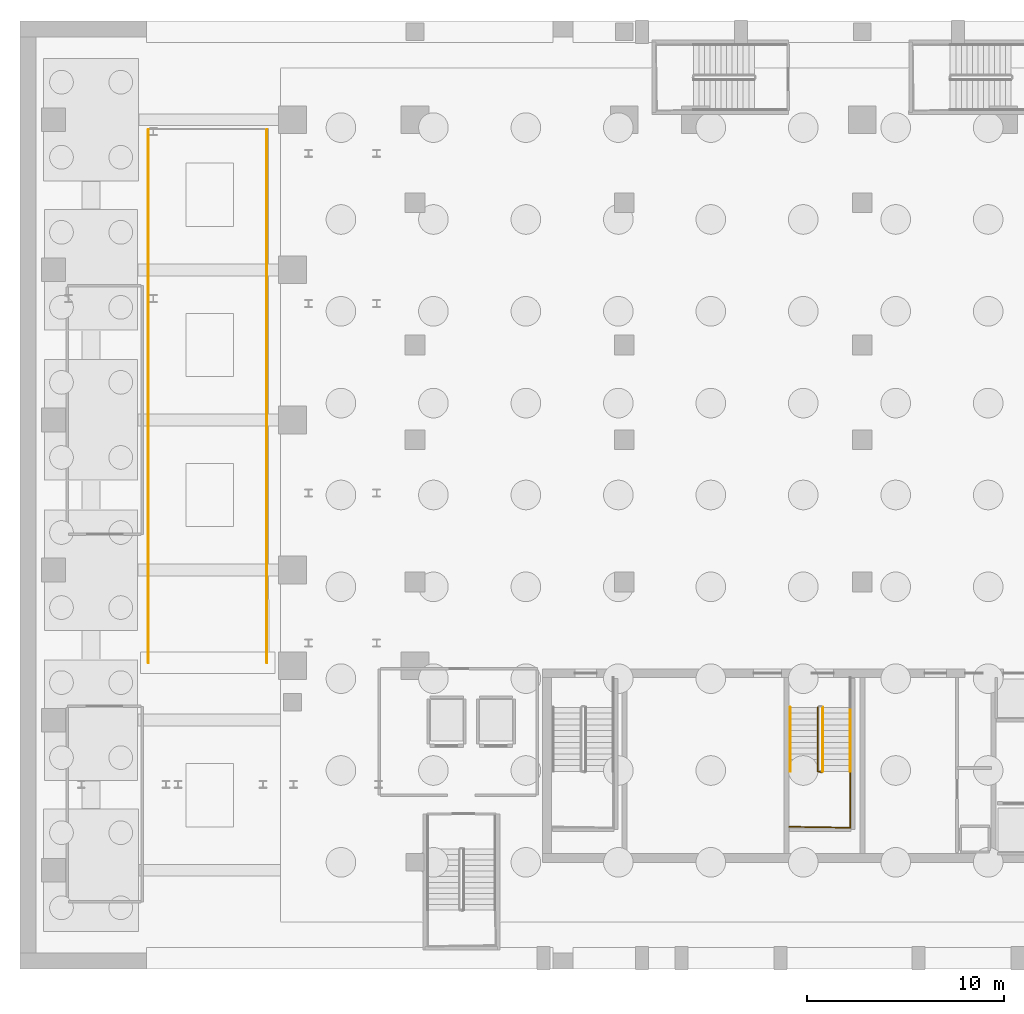
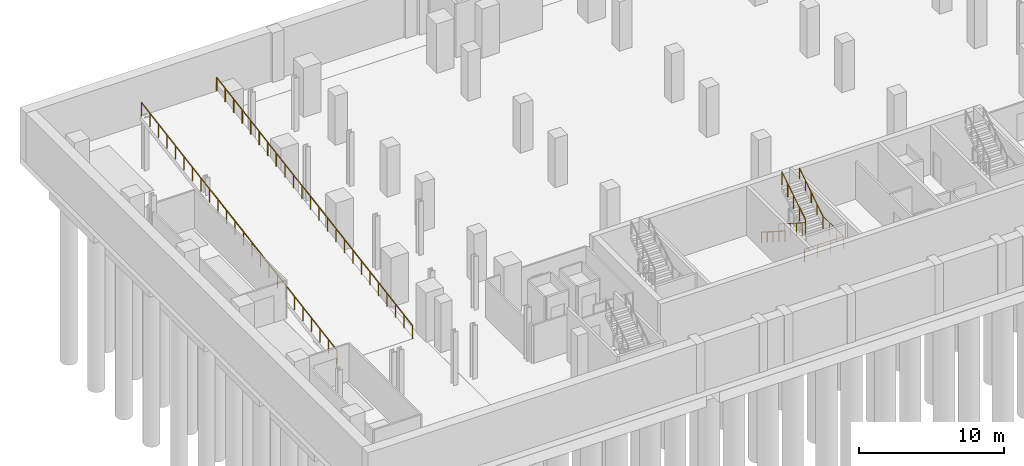
# One storey, part 15 of 18: 7 railings.
"""IFC4 building model written with IfcOpenShell, lengths in metres."""

from ifc_helpers import new_model, si_unit, direction, frame, origin, origin_2d, place, context, subcontext, project, spatial, circle, extrude, material, layer, layer_set, type_object, element, save


model = new_model("IFC4")

# Units and contexts
model_context = context("Model", 3, precision=1e-05, world=origin(), true_north=direction((0.0, 1.0)))
body_context = subcontext(model_context, "Body", "Model", "MODEL_VIEW")
ifc_project = project(units=[si_unit("LENGTHUNIT", "METRE"), si_unit("AREAUNIT", "SQUARE_METRE"), si_unit("VOLUMEUNIT", "CUBIC_METRE"), si_unit("PLANEANGLEUNIT", "RADIAN"), si_unit("MASSUNIT", "GRAM", prefix="KILO")], contexts=[model_context])

# Site, building, storey
site_placement = place(None, origin())
site = spatial("IfcSite", under=ifc_project, at=site_placement, CompositionType="ELEMENT")
building_placement = place(site_placement, origin())
building = spatial("IfcBuilding", under=site, at=building_placement, Name="Ndaravel Arena Tower", CompositionType="ELEMENT")
storey_placement = place(building_placement, frame((0.0, 0.0, -9.0)))
storey = spatial("IfcBuildingStorey", under=building, at=storey_placement, Name="B02", CompositionType="ELEMENT", Elevation=-9.0)

# Railings
ifc_material_1 = material(Name="Steel S355", Category="steel")
ifc_layer_1 = layer(ifc_material_1, 0.06005859375)
ifc_layer_set_1 = layer_set([ifc_layer_1], Name="Steel S355")
railing_type_1 = type_object("IfcRailingType", Name="RAIL-STAIR-GD1100", PredefinedType="GUARDRAIL", material=ifc_layer_set_1)
railing_1_placement = place(storey_placement, frame((40.39990234375, 13.25, 0.1875)))
element("IfcRailing", 1, at=railing_1_placement, inside=storey, type_object=railing_type_1, Name="B02 ST-2 stair guard 1", PredefinedType="GUARDRAIL", context=body_context, shape_type="SweptSolid", body=[
    extrude(circle(Radius=0.02392578125, at=origin_2d()), frame((0.0, 0.0, 1.076171875), z_axis=(0.0, -0.843964631203, 0.536398826693), x_axis=(1.0, 0.0, 0.0)), (0.0, 0.0, 1.0), 3.844970703125),
    extrude(circle(Radius=0.02392578125, at=origin_2d()), frame((0.0, -3.2451171875, 3.138671875), z_axis=(0.967379469692, -0.253331722487, 0.0), x_axis=(0.253331722487, 0.967379469692, 0.0)), (0.0, 0.0, 1.0), 0.196533203125),
    extrude(circle(Radius=0.02099609375, at=origin_2d()), origin(), (0.0, 0.0, 1.0), 1.052001953125),
    extrude(circle(Radius=0.02099609375, at=origin_2d()), frame((0.0, -0.811279296875, 0.515625)), (0.0, 0.0, 1.0), 1.052001953125),
    extrude(circle(Radius=0.02099609375, at=origin_2d()), frame((0.0, -1.62255859375, 1.03125)), (0.0, 0.0, 1.0), 1.052001953125),
    extrude(circle(Radius=0.02099609375, at=origin_2d()), frame((0.0, -2.433837890625, 1.546875)), (0.0, 0.0, 1.0), 1.052001953125),
    extrude(circle(Radius=0.02099609375, at=origin_2d()), frame((0.0, -3.2451171875, 2.0625)), (0.0, 0.0, 1.0), 1.052001953125),
    extrude(circle(Radius=0.02099609375, at=origin_2d()), frame((0.190185546875, -3.294921875, 2.0625)), (0.0, 0.0, 1.0), 1.052001953125),
])
railing_2_placement = place(storey_placement, frame((42.0400390625, 10.0048828125, 2.25)))
element("IfcRailing", 2, at=railing_2_placement, inside=storey, type_object=railing_type_1, Name="B02 ST-2 stair guard 2", PredefinedType="GUARDRAIL", context=body_context, shape_type="SweptSolid", body=[
    extrude(circle(Radius=0.02392578125, at=origin_2d()), frame((0.0, 0.0, 1.076171875), z_axis=(0.0, -1.0, 0.0), x_axis=(1.0, 0.0, 0.0)), (0.0, 0.0, 1.0), 2.85498046875),
    extrude(circle(Radius=0.02392578125, at=origin_2d()), frame((0.0, -2.85498046875, 1.076171875), z_axis=(-0.999868861343, 0.016194447071, 0.0), x_axis=(-0.016194447071, -0.999868861343, 0.0)), (0.0, 0.0, 1.0), 3.090576171875),
    extrude(circle(Radius=0.02099609375, at=origin_2d()), origin(), (0.0, 0.0, 1.0), 1.052001953125),
    extrude(circle(Radius=0.02099609375, at=origin_2d()), frame((0.0, -0.95166015625, 0.0)), (0.0, 0.0, 1.0), 1.052001953125),
    extrude(circle(Radius=0.02099609375, at=origin_2d()), frame((0.0, -1.9033203125, 0.0)), (0.0, 0.0, 1.0), 1.052001953125),
    extrude(circle(Radius=0.02099609375, at=origin_2d()), frame((0.0, -2.85498046875, 0.0)), (0.0, 0.0, 1.0), 1.052001953125),
    extrude(circle(Radius=0.02099609375, at=origin_2d()), frame((-1.030029296875, -2.83837890625, 0.0)), (0.0, 0.0, 1.0), 1.052001953125),
    extrude(circle(Radius=0.02099609375, at=origin_2d()), frame((-2.06005859375, -2.821533203125, 0.0)), (0.0, 0.0, 1.0), 1.052001953125),
    extrude(circle(Radius=0.02099609375, at=origin_2d()), frame((-3.090087890625, -2.804931640625, 0.0)), (0.0, 0.0, 1.0), 1.052001953125),
])
railing_3_placement = place(storey_placement, frame((40.639892578125, 10.0048828125, 2.4375)))
element("IfcRailing", 3, at=railing_3_placement, inside=storey, type_object=railing_type_1, Name="B02 ST-2 stair guard 3", PredefinedType="GUARDRAIL", context=body_context, shape_type="SweptSolid", body=[
    extrude(circle(Radius=0.02392578125, at=origin_2d()), frame((0.0, 0.0, 1.076171875), z_axis=(0.0, 0.843964631203, 0.536398826693), x_axis=(-1.0, 0.0, 0.0)), (0.0, 0.0, 1.0), 3.844970703125),
    extrude(circle(Radius=0.02099609375, at=origin_2d()), origin(), (0.0, 0.0, 1.0), 1.052001953125),
    extrude(circle(Radius=0.02099609375, at=origin_2d()), frame((0.0, 0.811279296875, 0.515625)), (0.0, 0.0, 1.0), 1.052001953125),
    extrude(circle(Radius=0.02099609375, at=origin_2d()), frame((0.0, 1.62255859375, 1.03125)), (0.0, 0.0, 1.0), 1.052001953125),
    extrude(circle(Radius=0.02099609375, at=origin_2d()), frame((0.0, 2.433837890625, 1.546875)), (0.0, 0.0, 1.0), 1.052001953125),
    extrude(circle(Radius=0.02099609375, at=origin_2d()), frame((0.0, 3.2451171875, 2.0625)), (0.0, 0.0, 1.0), 1.052001953125),
])
ifc_material_2 = material(Name="Steel S355", Category="steel")
ifc_layer_2 = layer(ifc_material_2, 0.050048828125)
ifc_layer_set_2 = layer_set([ifc_layer_2], Name="Steel S355")
railing_type_2 = type_object("IfcRailingType", Name="RAIL-STAIR-HR920", PredefinedType="HANDRAIL", material=ifc_layer_set_2)
railing_4_placement = place(storey_placement, frame((39.0, 13.25, 0.1875)))
element("IfcRailing", 4, at=railing_4_placement, inside=storey, type_object=railing_type_2, Name="B02 ST-2 stair handrail 1", PredefinedType="HANDRAIL", context=body_context, shape_type="SweptSolid", body=[
    extrude(circle(Radius=0.02392578125, at=origin_2d()), frame((0.0, 0.0, 0.8759765625), z_axis=(0.0, -0.843964631203, 0.536398826693), x_axis=(1.0, 0.0, 0.0)), (0.0, 0.0, 1.0), 3.844970703125),
    extrude(circle(Radius=0.02099609375, at=origin_2d()), origin(), (0.0, 0.0, 1.0), 0.851806640625),
    extrude(circle(Radius=0.02099609375, at=origin_2d()), frame((0.0, -0.811279296875, 0.515625)), (0.0, 0.0, 1.0), 0.851806640625),
    extrude(circle(Radius=0.02099609375, at=origin_2d()), frame((0.0, -1.62255859375, 1.03125)), (0.0, 0.0, 1.0), 0.851806640625),
    extrude(circle(Radius=0.02099609375, at=origin_2d()), frame((0.0, -2.433837890625, 1.546875)), (0.0, 0.0, 1.0), 0.851806640625),
    extrude(circle(Radius=0.02099609375, at=origin_2d()), frame((0.0, -3.2451171875, 2.0625)), (0.0, 0.0, 1.0), 0.851806640625),
])
railing_5_placement = place(storey_placement, frame((42.0400390625, 10.0048828125, 2.4375)))
element("IfcRailing", 5, at=railing_5_placement, inside=storey, type_object=railing_type_2, Name="B02 ST-2 stair handrail 2", PredefinedType="HANDRAIL", context=body_context, shape_type="SweptSolid", body=[
    extrude(circle(Radius=0.02392578125, at=origin_2d()), frame((0.0, 0.0, 0.8759765625), z_axis=(0.0, 0.843964631203, 0.536398826693), x_axis=(-1.0, 0.0, 0.0)), (0.0, 0.0, 1.0), 3.844970703125),
    extrude(circle(Radius=0.02099609375, at=origin_2d()), origin(), (0.0, 0.0, 1.0), 0.851806640625),
    extrude(circle(Radius=0.02099609375, at=origin_2d()), frame((0.0, 0.811279296875, 0.515625)), (0.0, 0.0, 1.0), 0.851806640625),
    extrude(circle(Radius=0.02099609375, at=origin_2d()), frame((0.0, 1.62255859375, 1.03125)), (0.0, 0.0, 1.0), 0.851806640625),
    extrude(circle(Radius=0.02099609375, at=origin_2d()), frame((0.0, 2.433837890625, 1.546875)), (0.0, 0.0, 1.0), 0.851806640625),
    extrude(circle(Radius=0.02099609375, at=origin_2d()), frame((0.0, 3.2451171875, 2.0625)), (0.0, 0.0, 1.0), 0.851806640625),
])
ifc_material_3 = material(Name="Glazing", Category="glass")
ifc_layer_3 = layer(ifc_material_3, 0.070068359375)
ifc_layer_set_3 = layer_set([ifc_layer_3], Name="Glazing")
railing_type_3 = type_object("IfcRailingType", Name="RAIL-TERRACE-1150", PredefinedType="BALUSTRADE", material=ifc_layer_set_3)
railing_6_placement = place(storey_placement, frame((6.5, 15.5, 0.0)))
element("IfcRailing", 6, at=railing_6_placement, inside=storey, type_object=railing_type_3, Name="B02 Vehicle Ramp R1 West Edge Guard", PredefinedType="BALUSTRADE", context=body_context, shape_type="SweptSolid", body=[
    extrude(circle(Radius=0.02392578125, at=origin_2d()), frame((0.0, 0.0, 1.1259765625), z_axis=(0.0, 0.986393923832, 0.164398987305), x_axis=(-1.0, 0.0, 0.0)), (0.0, 0.0, 1.0), 27.372314453125),
    extrude(circle(Radius=0.02099609375, at=origin_2d()), origin(), (0.0, 0.0, 1.0), 1.101806640625),
    extrude(circle(Radius=0.02099609375, at=origin_2d()), frame((0.0, 1.173828125, 0.195556640625)), (0.0, 0.0, 1.0), 1.101806640625),
    extrude(circle(Radius=0.02099609375, at=origin_2d()), frame((0.0, 2.347900390625, 0.391357421875)), (0.0, 0.0, 1.0), 1.101806640625),
    extrude(circle(Radius=0.02099609375, at=origin_2d()), frame((0.0, 3.521728515625, 0.5869140625)), (0.0, 0.0, 1.0), 1.101806640625),
    extrude(circle(Radius=0.02099609375, at=origin_2d()), frame((0.0, 4.695556640625, 0.78271484375)), (0.0, 0.0, 1.0), 1.101806640625),
    extrude(circle(Radius=0.02099609375, at=origin_2d()), frame((0.0, 5.86962890625, 0.978271484375)), (0.0, 0.0, 1.0), 1.101806640625),
    extrude(circle(Radius=0.02099609375, at=origin_2d()), frame((0.0, 7.04345703125, 1.173828125)), (0.0, 0.0, 1.0), 1.101806640625),
    extrude(circle(Radius=0.02099609375, at=origin_2d()), frame((0.0, 8.21728515625, 1.36962890625)), (0.0, 0.0, 1.0), 1.101806640625),
    extrude(circle(Radius=0.02099609375, at=origin_2d()), frame((0.0, 9.391357421875, 1.565185546875)), (0.0, 0.0, 1.0), 1.101806640625),
    extrude(circle(Radius=0.02099609375, at=origin_2d()), frame((0.0, 10.565185546875, 1.760986328125)), (0.0, 0.0, 1.0), 1.101806640625),
    extrude(circle(Radius=0.02099609375, at=origin_2d()), frame((0.0, 11.739013671875, 1.95654296875)), (0.0, 0.0, 1.0), 1.101806640625),
    extrude(circle(Radius=0.02099609375, at=origin_2d()), frame((0.0, 12.9130859375, 2.152099609375)), (0.0, 0.0, 1.0), 1.101806640625),
    extrude(circle(Radius=0.02099609375, at=origin_2d()), frame((0.0, 14.0869140625, 2.347900390625)), (0.0, 0.0, 1.0), 1.101806640625),
    extrude(circle(Radius=0.02099609375, at=origin_2d()), frame((0.0, 15.260986328125, 2.54345703125)), (0.0, 0.0, 1.0), 1.101806640625),
    extrude(circle(Radius=0.02099609375, at=origin_2d()), frame((0.0, 16.434814453125, 2.739013671875)), (0.0, 0.0, 1.0), 1.101806640625),
    extrude(circle(Radius=0.02099609375, at=origin_2d()), frame((0.0, 17.608642578125, 2.934814453125)), (0.0, 0.0, 1.0), 1.101806640625),
    extrude(circle(Radius=0.02099609375, at=origin_2d()), frame((0.0, 18.78271484375, 3.13037109375)), (0.0, 0.0, 1.0), 1.101806640625),
    extrude(circle(Radius=0.02099609375, at=origin_2d()), frame((0.0, 19.95654296875, 3.326171875)), (0.0, 0.0, 1.0), 1.101806640625),
    extrude(circle(Radius=0.02099609375, at=origin_2d()), frame((0.0, 21.13037109375, 3.521728515625)), (0.0, 0.0, 1.0), 1.101806640625),
    extrude(circle(Radius=0.02099609375, at=origin_2d()), frame((0.0, 22.304443359375, 3.71728515625)), (0.0, 0.0, 1.0), 1.101806640625),
    extrude(circle(Radius=0.02099609375, at=origin_2d()), frame((0.0, 23.478271484375, 3.9130859375)), (0.0, 0.0, 1.0), 1.101806640625),
    extrude(circle(Radius=0.02099609375, at=origin_2d()), frame((0.0, 24.652099609375, 4.108642578125)), (0.0, 0.0, 1.0), 1.101806640625),
    extrude(circle(Radius=0.02099609375, at=origin_2d()), frame((0.0, 25.826171875, 4.304443359375)), (0.0, 0.0, 1.0), 1.101806640625),
    extrude(circle(Radius=0.02099609375, at=origin_2d()), frame((0.0, 27.0, 4.5)), (0.0, 0.0, 1.0), 1.101806640625),
])
railing_7_placement = place(storey_placement, frame((12.5, 15.5, 0.0)))
element("IfcRailing", 7, at=railing_7_placement, inside=storey, type_object=railing_type_3, Name="B02 Vehicle Ramp R1 East Edge Guard", PredefinedType="BALUSTRADE", context=body_context, shape_type="SweptSolid", body=[
    extrude(circle(Radius=0.02392578125, at=origin_2d()), frame((0.0, 0.0, 1.1259765625), z_axis=(0.0, 0.986393923832, 0.164398987305), x_axis=(-1.0, 0.0, 0.0)), (0.0, 0.0, 1.0), 27.372314453125),
    extrude(circle(Radius=0.02099609375, at=origin_2d()), origin(), (0.0, 0.0, 1.0), 1.101806640625),
    extrude(circle(Radius=0.02099609375, at=origin_2d()), frame((0.0, 1.173828125, 0.195556640625)), (0.0, 0.0, 1.0), 1.101806640625),
    extrude(circle(Radius=0.02099609375, at=origin_2d()), frame((0.0, 2.347900390625, 0.391357421875)), (0.0, 0.0, 1.0), 1.101806640625),
    extrude(circle(Radius=0.02099609375, at=origin_2d()), frame((0.0, 3.521728515625, 0.5869140625)), (0.0, 0.0, 1.0), 1.101806640625),
    extrude(circle(Radius=0.02099609375, at=origin_2d()), frame((0.0, 4.695556640625, 0.78271484375)), (0.0, 0.0, 1.0), 1.101806640625),
    extrude(circle(Radius=0.02099609375, at=origin_2d()), frame((0.0, 5.86962890625, 0.978271484375)), (0.0, 0.0, 1.0), 1.101806640625),
    extrude(circle(Radius=0.02099609375, at=origin_2d()), frame((0.0, 7.04345703125, 1.173828125)), (0.0, 0.0, 1.0), 1.101806640625),
    extrude(circle(Radius=0.02099609375, at=origin_2d()), frame((0.0, 8.21728515625, 1.36962890625)), (0.0, 0.0, 1.0), 1.101806640625),
    extrude(circle(Radius=0.02099609375, at=origin_2d()), frame((0.0, 9.391357421875, 1.565185546875)), (0.0, 0.0, 1.0), 1.101806640625),
    extrude(circle(Radius=0.02099609375, at=origin_2d()), frame((0.0, 10.565185546875, 1.760986328125)), (0.0, 0.0, 1.0), 1.101806640625),
    extrude(circle(Radius=0.02099609375, at=origin_2d()), frame((0.0, 11.739013671875, 1.95654296875)), (0.0, 0.0, 1.0), 1.101806640625),
    extrude(circle(Radius=0.02099609375, at=origin_2d()), frame((0.0, 12.9130859375, 2.152099609375)), (0.0, 0.0, 1.0), 1.101806640625),
    extrude(circle(Radius=0.02099609375, at=origin_2d()), frame((0.0, 14.0869140625, 2.347900390625)), (0.0, 0.0, 1.0), 1.101806640625),
    extrude(circle(Radius=0.02099609375, at=origin_2d()), frame((0.0, 15.260986328125, 2.54345703125)), (0.0, 0.0, 1.0), 1.101806640625),
    extrude(circle(Radius=0.02099609375, at=origin_2d()), frame((0.0, 16.434814453125, 2.739013671875)), (0.0, 0.0, 1.0), 1.101806640625),
    extrude(circle(Radius=0.02099609375, at=origin_2d()), frame((0.0, 17.608642578125, 2.934814453125)), (0.0, 0.0, 1.0), 1.101806640625),
    extrude(circle(Radius=0.02099609375, at=origin_2d()), frame((0.0, 18.78271484375, 3.13037109375)), (0.0, 0.0, 1.0), 1.101806640625),
    extrude(circle(Radius=0.02099609375, at=origin_2d()), frame((0.0, 19.95654296875, 3.326171875)), (0.0, 0.0, 1.0), 1.101806640625),
    extrude(circle(Radius=0.02099609375, at=origin_2d()), frame((0.0, 21.13037109375, 3.521728515625)), (0.0, 0.0, 1.0), 1.101806640625),
    extrude(circle(Radius=0.02099609375, at=origin_2d()), frame((0.0, 22.304443359375, 3.71728515625)), (0.0, 0.0, 1.0), 1.101806640625),
    extrude(circle(Radius=0.02099609375, at=origin_2d()), frame((0.0, 23.478271484375, 3.9130859375)), (0.0, 0.0, 1.0), 1.101806640625),
    extrude(circle(Radius=0.02099609375, at=origin_2d()), frame((0.0, 24.652099609375, 4.108642578125)), (0.0, 0.0, 1.0), 1.101806640625),
    extrude(circle(Radius=0.02099609375, at=origin_2d()), frame((0.0, 25.826171875, 4.304443359375)), (0.0, 0.0, 1.0), 1.101806640625),
    extrude(circle(Radius=0.02099609375, at=origin_2d()), frame((0.0, 27.0, 4.5)), (0.0, 0.0, 1.0), 1.101806640625),
])

save(model, "model.ifc")
